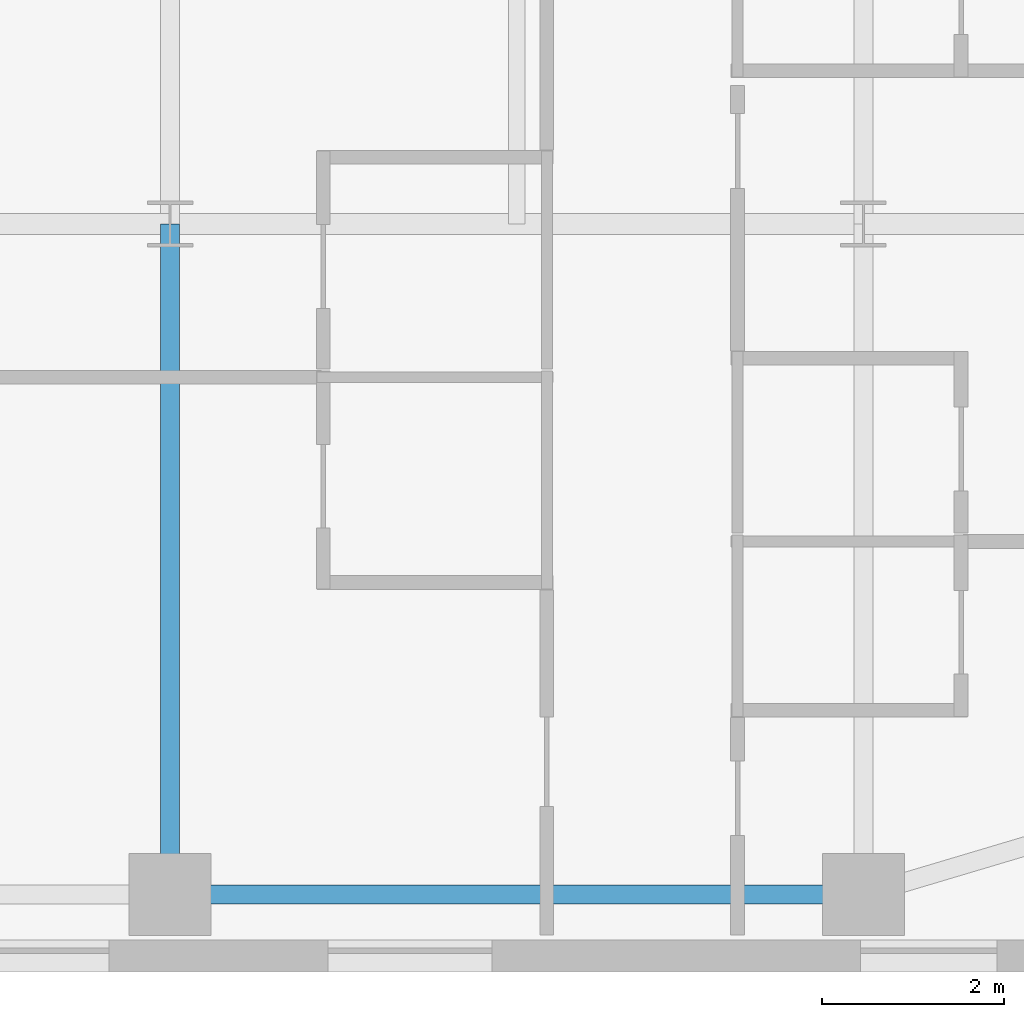
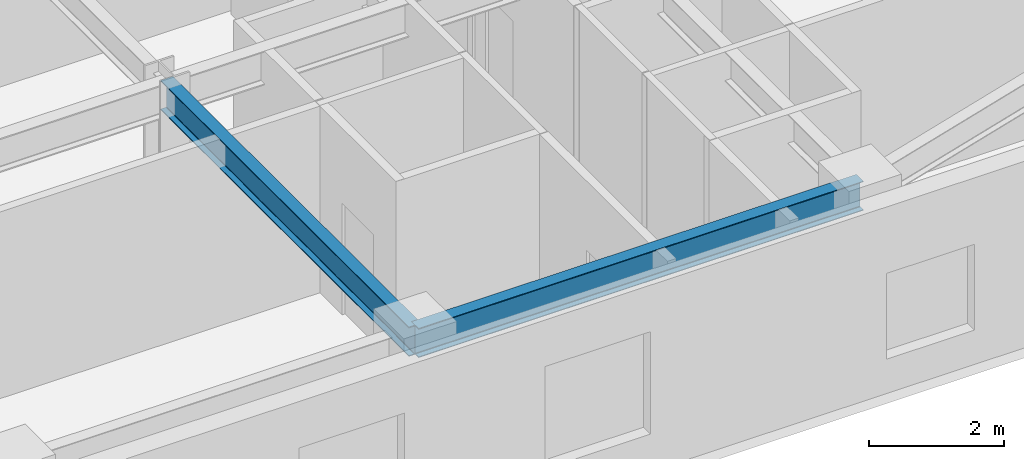
# One storey, part 6 of 17: 2 beams.
"""IFC4 building model written with IfcOpenShell, lengths in metres."""

from ifc_helpers import new_model, si_unit, direction, frame, origin, origin_2d, place, context, subcontext, project, spatial, i_section, extrude, source, transform, mapped, material, material_profile, profile_set, type_object, type_shapes, element, save


model = new_model("IFC4")

# Units and contexts
model_context = context("Model", 3, precision=1e-05, world=origin(), true_north=direction((0.0, 1.0)))
body_context = subcontext(model_context, "Body", "Model", "MODEL_VIEW")
ifc_project = project(units=[si_unit("LENGTHUNIT", "METRE"), si_unit("AREAUNIT", "SQUARE_METRE"), si_unit("VOLUMEUNIT", "CUBIC_METRE"), si_unit("PLANEANGLEUNIT", "RADIAN"), si_unit("MASSUNIT", "GRAM", prefix="KILO")], contexts=[model_context])

# Site, building, storey
site_placement = place(None, origin())
site = spatial("IfcSite", under=ifc_project, at=site_placement, CompositionType="ELEMENT")
building_placement = place(site_placement, origin())
building = spatial("IfcBuilding", under=site, at=building_placement, Name="Tolvann Quenvar Hotel", CompositionType="ELEMENT")
storey_placement = place(building_placement, frame((0.0, 0.0, 136.39990234375)))
storey = spatial("IfcBuildingStorey", under=building, at=storey_placement, Name="L35", CompositionType="ELEMENT", Elevation=136.39990234375)

# Beams
ifc_material = material(Name="Steel Grade 350", Category="steel")
ifc_material_profile_1 = material_profile(ifc_material, i_section(OverallWidth=0.208984375, OverallDepth=0.528076171875, WebThickness=0.009521484375, FlangeThickness=0.01318359375, FilletRadius=0.013916015625, at=origin_2d()), Name="530UB82")
ifc_profile_set_1 = profile_set([ifc_material_profile_1], Name="Steel Grade 350")
beam_type_1 = type_object("IfcBeamType", Name="BM_SPAND_530UB82", PredefinedType="SPANDREL", material=ifc_profile_set_1)
shared_shape_1 = source(origin(), body_context, "Body", "SweptSolid", [
    extrude(i_section(OverallWidth=0.208984375, OverallDepth=0.528076171875, WebThickness=0.009521484375, FlangeThickness=0.01318359375, FilletRadius=0.013916015625, at=origin_2d()), origin(), (0.0, 0.0, 1.0), 7.599853515625),
])
type_shapes(beam_type_1, [shared_shape_1])
beam_1_placement = place(storey_placement, frame((41.800048828125, 0.85009765625, 3.106201171875), z_axis=(1.0, 0.0, 0.0), x_axis=(0.0, 1.0, 0.0)))
element("IfcBeam", 1, at=beam_1_placement, inside=storey, type_object=beam_type_1, Name="BM-L35-EW-2-H2-I2", PredefinedType="SPANDREL", context=body_context, shape_type="MappedRepresentation", body=[
    mapped(shared_shape_1, transform((0.0, 0.0, 0.0), x_axis=(1.0, 0.0, 0.0), y_axis=(0.0, 1.0, 0.0), z_axis=(0.0, 0.0, 1.0), scale=1.0)),
])
ifc_material_profile_2 = material_profile(ifc_material, i_section(OverallWidth=0.208984375, OverallDepth=0.532958984375, WebThickness=0.01025390625, FlangeThickness=0.015625, FilletRadius=0.013916015625, at=origin_2d()), Name="530UB92")
ifc_profile_set_2 = profile_set([ifc_material_profile_2], Name="Steel Grade 350")
beam_type_2 = type_object("IfcBeamType", Name="BM_GIRD_530UB92", PredefinedType="BEAM", material=ifc_profile_set_2)
shared_shape_2 = source(origin(), body_context, "Body", "SweptSolid", [
    extrude(i_section(OverallWidth=0.208984375, OverallDepth=0.532958984375, WebThickness=0.01025390625, FlangeThickness=0.015625, FilletRadius=0.013916015625, at=origin_2d()), origin(), (0.0, 0.0, 1.0), 7.349853515625),
])
type_shapes(beam_type_2, [shared_shape_2])
beam_2_placement = place(storey_placement, frame((41.800048828125, 0.85009765625, 3.103515625), z_axis=(0.0, 1.0, 0.0), x_axis=(-1.0, 0.0, 0.0)))
element("IfcBeam", 2, at=beam_2_placement, inside=storey, type_object=beam_type_2, Name="BM-L35-NS-H2-H3", PredefinedType="BEAM", context=body_context, shape_type="MappedRepresentation", body=[
    mapped(shared_shape_2, transform((0.0, 0.0, 0.0), x_axis=(1.0, 0.0, 0.0), y_axis=(0.0, 1.0, 0.0), z_axis=(0.0, 0.0, 1.0), scale=1.0)),
])

save(model, "model.ifc")
